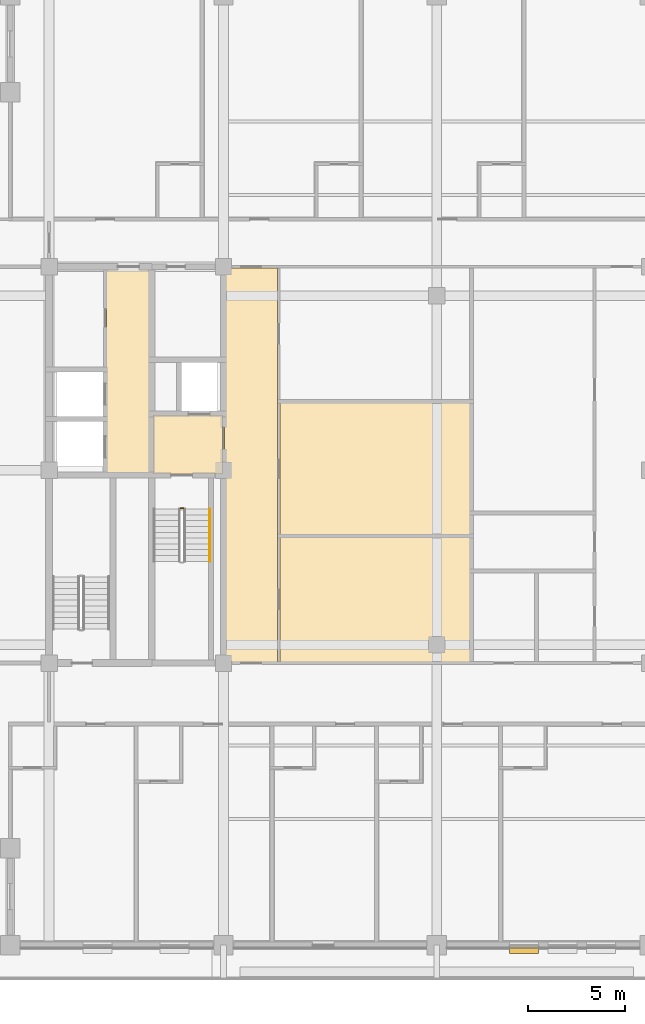
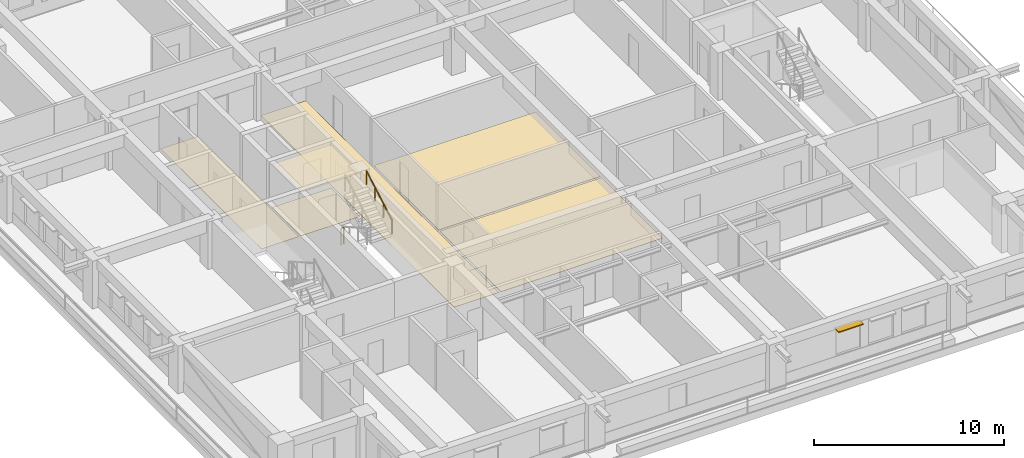
# One storey, part 11 of 14: 6 coverings, 2 railings, 1 shading device.
"""IFC4 building model written with IfcOpenShell, lengths in metres."""

from ifc_helpers import new_model, si_unit, direction, frame, frame_2d, origin, origin_2d, place, context, subcontext, project, spatial, polyline, rectangle, outline, extrude, material, layer, layer_set, type_object, element, save


model = new_model("IFC4")

# Units and contexts
model_context = context("Model", 3, precision=1e-05, world=origin(), true_north=direction((0.0, 1.0)))
body_context = subcontext(model_context, "Body", "Model", "MODEL_VIEW")
ifc_project = project(units=[si_unit("LENGTHUNIT", "METRE"), si_unit("AREAUNIT", "SQUARE_METRE"), si_unit("VOLUMEUNIT", "CUBIC_METRE"), si_unit("PLANEANGLEUNIT", "RADIAN"), si_unit("MASSUNIT", "GRAM", prefix="KILO")], contexts=[model_context])

# Site, building, storey
site_placement = place(None, origin())
site = spatial("IfcSite", under=ifc_project, at=site_placement, CompositionType="ELEMENT")
building_placement = place(site_placement, origin())
building = spatial("IfcBuilding", under=site, at=building_placement, Name="Zulmaris Gate Convention Tower", CompositionType="ELEMENT")
storey_placement = place(building_placement, frame((0.0, 0.0, 208.4599609375)))
storey = spatial("IfcBuildingStorey", under=building, at=storey_placement, Name="L54", CompositionType="ELEMENT", Elevation=208.4599609375)

# Coverings
ifc_material_1 = material(Name="Mineral Fibre Acoustic Ceiling Tile")
ifc_layer_1 = layer(ifc_material_1, 0.02001953125, Name="Mineral Fibre Acoustic Ceiling Tile")
ifc_layer_set_1 = layer_set([ifc_layer_1], Name="Mineral Fibre Acoustic Ceiling Tile")
covering_type_1 = type_object("IfcCoveringType", Name="CLG-ACOUSTIC-600", PredefinedType="CEILING", material=ifc_layer_set_1)
covering_1_placement = place(storey_placement, frame((0.0, 0.0, 2.794921875)))
element("IfcCovering", 1, at=covering_1_placement, inside=storey, type_object=covering_type_1, Name="CLG-L54-R03", PredefinedType="CEILING", context=body_context, shape_type="SweptSolid", body=[
    extrude(outline(polyline([(-14.639892578125, -0.18994140625), (-11.06005859375, -0.18994140625), (-11.06005859375, 2.840087890625), (-14.639892578125, 2.840087890625), (-14.639892578125, -0.18994140625)])), origin(), (0.0, 0.0, 1.0), 0.02001953125),
])
ifc_material_2 = material(Name="Woven Acoustic Wool Carpet Tile")
ifc_layer_2 = layer(ifc_material_2, 0.02001953125, Name="Woven Acoustic Wool Carpet Tile")
ifc_layer_set_2 = layer_set([ifc_layer_2], Name="Woven Acoustic Wool Carpet Tile")
covering_type_2 = type_object("IfcCoveringType", Name="FLR-CARPET-12", PredefinedType="FLOORING", material=ifc_layer_set_2)
covering_2_placement = place(storey_placement, origin())
element("IfcCovering", 2, at=covering_2_placement, inside=storey, type_object=covering_type_2, Name="FLR-L54-R03", PredefinedType="FLOORING", context=body_context, shape_type="SweptSolid", body=[
    extrude(outline(polyline([(-14.639892578125, -0.18994140625), (-11.06005859375, -0.18994140625), (-11.06005859375, 2.840087890625), (-14.639892578125, 2.840087890625), (-14.639892578125, -0.18994140625)])), origin(), (0.0, 0.0, 1.0), 0.02001953125),
])
covering_3_placement = place(storey_placement, origin())
element("IfcCovering", 3, at=covering_3_placement, inside=storey, type_object=covering_type_2, Name="FLR-L54-R17", PredefinedType="FLOORING", context=body_context, shape_type="SweptSolid", body=[
    extrude(outline(polyline([(-17.0400390625, -0.18994140625), (-14.760009765625, -0.18994140625), (-14.760009765625, 10.43994140625), (-17.0400390625, 10.43994140625), (-17.0400390625, -0.18994140625)])), origin(), (0.0, 0.0, 1.0), 0.02001953125),
])
covering_4_placement = place(storey_placement, origin())
element("IfcCovering", 4, at=covering_4_placement, inside=storey, type_object=covering_type_2, Name="FLR-L54-R27", PredefinedType="FLOORING", context=body_context, shape_type="SweptSolid", body=[
    extrude(outline(polyline([(-10.93994140625, -9.889892578125), (-8.2099609375, -9.889892578125), (-8.2099609375, 10.43994140625), (-10.93994140625, 10.43994140625), (-10.93994140625, -9.889892578125)])), origin(), (0.0, 0.0, 1.0), 0.02001953125),
])
covering_5_placement = place(storey_placement, origin())
element("IfcCovering", 5, at=covering_5_placement, inside=storey, type_object=covering_type_2, Name="FLR-L54-R50", PredefinedType="FLOORING", context=body_context, shape_type="SweptSolid", body=[
    extrude(outline(polyline([(-8.090087890625, -9.889892578125), (1.739990234375, -9.889892578125), (1.739990234375, -3.4599609375), (-8.090087890625, -3.4599609375), (-8.090087890625, -9.889892578125)])), origin(), (0.0, 0.0, 1.0), 0.02001953125),
])
ifc_material_3 = material(Name="Polished Granite Terrazzo Tile", Category="masonry")
ifc_layer_3 = layer(ifc_material_3, 0.02001953125, Name="Polished Granite Terrazzo Tile")
ifc_layer_set_3 = layer_set([ifc_layer_3], Name="Polished Granite Terrazzo Tile")
covering_type_3 = type_object("IfcCoveringType", Name="FLR-TERRAZZO-30", PredefinedType="FLOORING", material=ifc_layer_set_3)
covering_6_placement = place(storey_placement, origin())
element("IfcCovering", 6, at=covering_6_placement, inside=storey, type_object=covering_type_3, Name="FLR-L54-R49", PredefinedType="FLOORING", context=body_context, shape_type="SweptSolid", body=[
    extrude(outline(polyline([(-8.090087890625, -3.340087890625), (1.739990234375, -3.340087890625), (1.739990234375, 3.489990234375), (-8.090087890625, 3.489990234375), (-8.090087890625, -3.340087890625)])), origin(), (0.0, 0.0, 1.0), 0.02001953125),
])

# Railings
ifc_material_4 = material(Name="Painted Galvanised Steel", Category="steel")
railing_type_1 = type_object("IfcRailingType", Name="RL-STG-1150", PredefinedType="GUARDRAIL", material=ifc_material_4)
railing_1_placement = place(storey_placement, frame((-13.219970703125, -1.949951171875, 0.0)))
element("IfcRailing", 7, at=railing_1_placement, inside=storey, type_object=railing_type_1, Name="L54 ST-1 stair guard 4", PredefinedType="GUARDRAIL", context=body_context, shape_type="SweptSolid", body=[
    extrude(rectangle(XDim=0.048095703125, YDim=0.048095703125, at=origin_2d()), frame((0.0, 0.0, 1.076171875), z_axis=(1.0, 0.0, 0.0), x_axis=(0.0, 1.0, 0.0)), (0.0, 0.0, 1.0), 0.159912109375),
    extrude(rectangle(XDim=0.0419921875, YDim=0.0419921875, at=origin_2d()), origin(), (0.0, 0.0, 1.0), 1.052001953125),
    extrude(rectangle(XDim=0.0419921875, YDim=0.0419921875, at=origin_2d()), frame((0.159912109375, 0.0, 0.0)), (0.0, 0.0, 1.0), 1.052001953125),
])
ifc_material_5 = material(Name="Brushed Stainless Steel", Category="steel")
railing_type_2 = type_object("IfcRailingType", Name="RL-STH-900", PredefinedType="HANDRAIL", material=ifc_material_5)
railing_2_placement = place(storey_placement, frame((-11.7099609375, -4.699951171875, 1.869873046875)))
element("IfcRailing", 8, at=railing_2_placement, inside=storey, type_object=railing_type_2, Name="L54 ST-1 stair handrail 2", PredefinedType="HANDRAIL", context=body_context, shape_type="SweptSolid", body=[
    extrude(rectangle(XDim=0.048095703125, YDim=0.048095703125, at=origin_2d()), frame((0.0, 0.0, 0.8759765625), z_axis=(0.0, 0.870014312096, 0.49302646658), x_axis=(-1.0, 0.0, 0.0)), (0.0, 0.0, 1.0), 3.103271484375),
    extrude(rectangle(XDim=0.0419921875, YDim=0.0419921875, at=origin_2d()), origin(), (0.0, 0.0, 1.0), 0.851806640625),
    extrude(rectangle(XDim=0.0419921875, YDim=0.0419921875, at=origin_2d()), frame((0.0, 0.89990234375, 0.510009765625)), (0.0, 0.0, 1.0), 0.851806640625),
    extrude(rectangle(XDim=0.0419921875, YDim=0.0419921875, at=origin_2d()), frame((0.0, 1.800048828125, 1.02001953125)), (0.0, 0.0, 1.0), 0.851806640625),
    extrude(rectangle(XDim=0.0419921875, YDim=0.0419921875, at=origin_2d()), frame((0.0, 2.699951171875, 1.530029296875)), (0.0, 0.0, 1.0), 0.851806640625),
])

# Shading device
ifc_material_6 = material(Name="Glazed Ceramic Terracotta", Category="masonry")
ifc_layer_4 = layer(ifc_material_6, 0.070068359375, Name="Glazed Ceramic Terracotta")
ifc_layer_set_4 = layer_set([ifc_layer_4], Name="Glazed Ceramic Terracotta")
shading_device_type = type_object("IfcShadingDeviceType", Name="SHD-SUNSHADE-TC", PredefinedType="AWNING", material=ifc_layer_set_4)
shading_device_placement = place(storey_placement, frame((3.756103515625, -24.719970703125, 2.35009765625), z_axis=(0.0, 0.0, 1.0), x_axis=(1.0, 0.0, 0.0)))
element("IfcShadingDevice", 9, at=shading_device_placement, inside=storey, type_object=shading_device_type, Name="SHD-EW-L54-S-2_0-2", PredefinedType="AWNING", context=body_context, shape_type="SweptSolid", body=[
    extrude(rectangle(XDim=1.5, YDim=0.43994140625, at=frame_2d((0.75, 0.0))), origin(), (0.0, 0.0, 1.0), 0.06982421875),
])

save(model, "model.ifc")
